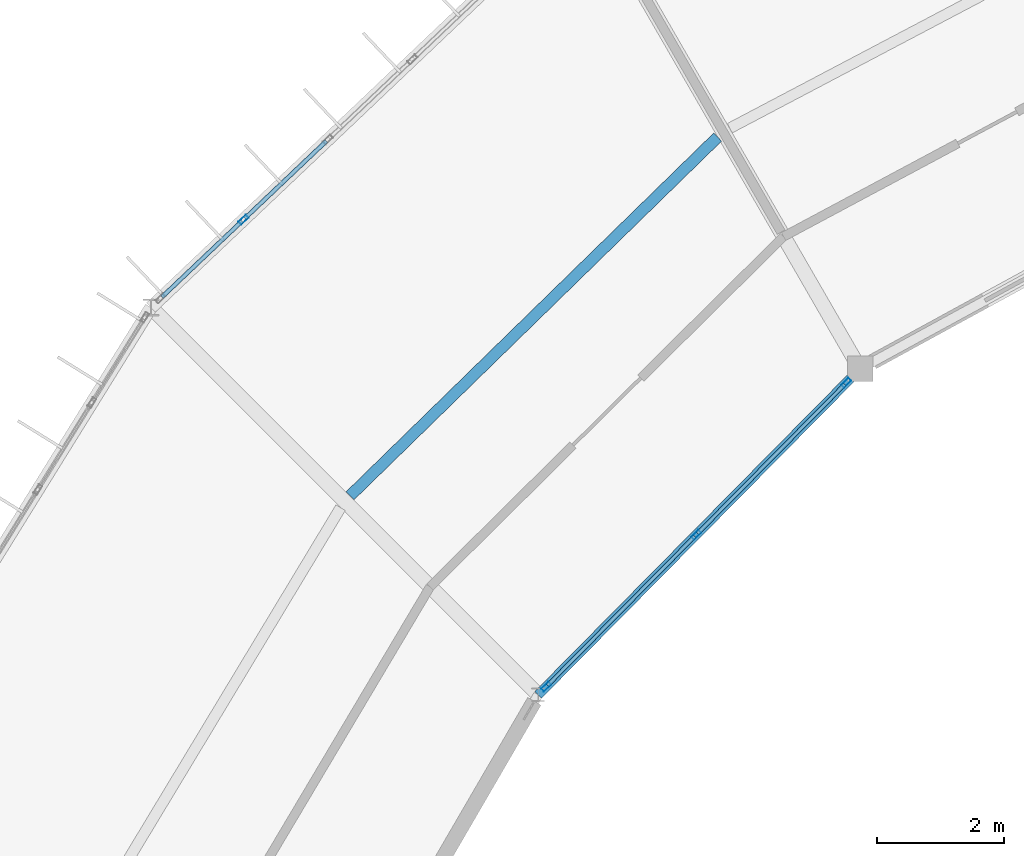
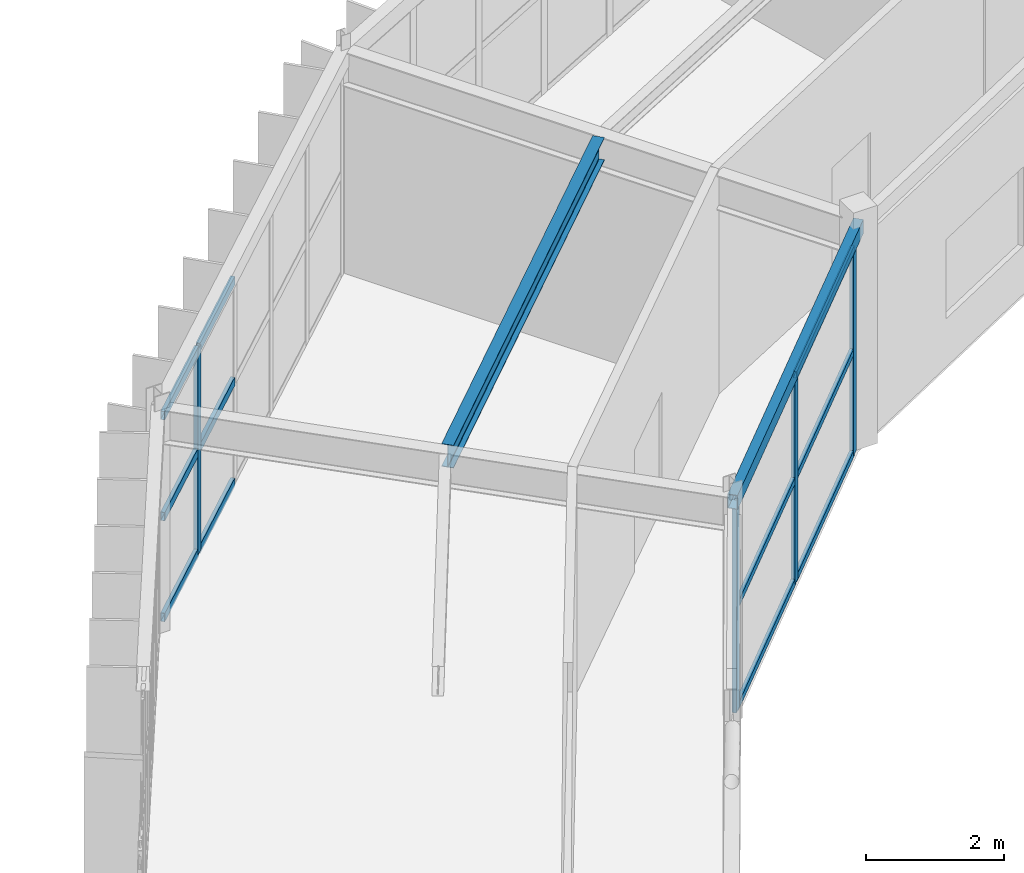
# One storey, part 87 of 157: 16 members, 2 beams, 2 elements without a shape of their own.
"""IFC4 building model written with IfcOpenShell, lengths in metres."""

from ifc_helpers import new_model, si_unit, direction, frame, origin, origin_2d, place, context, subcontext, project, spatial, hollow_rectangle, i_section, extrude, material, material_profile, profile_set, type_object, element, aggregate, save


model = new_model("IFC4")

# Units and contexts
model_context = context("Model", 3, precision=1e-05, world=origin(), true_north=direction((0.0, 1.0)))
body_context = subcontext(model_context, "Body", "Model", "MODEL_VIEW")
ifc_project = project(units=[si_unit("LENGTHUNIT", "METRE"), si_unit("AREAUNIT", "SQUARE_METRE"), si_unit("VOLUMEUNIT", "CUBIC_METRE"), si_unit("PLANEANGLEUNIT", "RADIAN"), si_unit("MASSUNIT", "GRAM", prefix="KILO")], contexts=[model_context])

# Site, building, storey
site_placement = place(None, origin())
site = spatial("IfcSite", under=ifc_project, at=site_placement, CompositionType="ELEMENT")
building_placement = place(site_placement, origin())
building = spatial("IfcBuilding", under=site, at=building_placement, Name="Karori Crest Natural Sciences Institute", CompositionType="ELEMENT")
storey_placement = place(building_placement, frame((0.0, 0.0, 13.300048828125)))
storey = spatial("IfcBuildingStorey", under=building, at=storey_placement, Name="L03", CompositionType="ELEMENT", Elevation=13.300048828125)

# Beams
ifc_material_1 = material(Name="Hollow structural steel AS/NZS 1163 Grade C350", Category="steel")
ifc_material_profile_1 = material_profile(ifc_material_1, hollow_rectangle(XDim=0.14990234375, YDim=0.25, WallThickness=0.009033203125, at=origin_2d()), Name="RHS250x150x9")
ifc_profile_set_1 = profile_set([ifc_material_profile_1], Name="Hollow structural steel AS/NZS 1163 Grade C350")
beam_type_1 = type_object("IfcBeamType", Name="BT-16", PredefinedType="SPANDREL", material=ifc_profile_set_1)
beam_1_placement = place(storey_placement, frame((54.199951171875, 77.785888671875, 3.7900390625), z_axis=(-0.70266285879, -0.711522948946, 0.0), x_axis=(0.711522948946, -0.70266285879, 0.0)))
element("IfcBeam", 1, at=beam_1_placement, inside=storey, type_object=beam_type_1, Name="Beam B-0392", PredefinedType="SPANDREL", context=body_context, shape_type="SweptSolid", body=[
    extrude(hollow_rectangle(XDim=0.14990234375, YDim=0.25, WallThickness=0.009033203125, at=origin_2d()), origin(), (0.0, 0.0, 1.0), 7.19189453125),
])
ifc_material_2 = material(Name="Structural steel AS/NZS 3679.1 Grade 350", Category="steel")
ifc_material_profile_2 = material_profile(ifc_material_2, i_section(OverallWidth=0.177978515625, OverallDepth=0.403076171875, WebThickness=0.007568359375, FlangeThickness=0.010986328125, FilletRadius=0.010986328125, at=origin_2d()), Name="410UB53.7")
ifc_profile_set_2 = profile_set([ifc_material_profile_2], Name="Structural steel AS/NZS 3679.1 Grade 350")
beam_type_2 = type_object("IfcBeamType", Name="BT-29", PredefinedType="BEAM", material=ifc_profile_set_2)
beam_2_placement = place(storey_placement, frame((51.964111328125, 81.426025390625, 3.738525390625), z_axis=(-0.715696324431, -0.698411605857, 0.0), x_axis=(0.698411605857, -0.715696324431, 0.0)))
element("IfcBeam", 2, at=beam_2_placement, inside=storey, type_object=beam_type_2, Name="Beam B-0394", PredefinedType="BEAM", context=body_context, shape_type="SweptSolid", body=[
    extrude(i_section(OverallWidth=0.177978515625, OverallDepth=0.403076171875, WebThickness=0.007568359375, FlangeThickness=0.010986328125, FilletRadius=0.010986328125, at=origin_2d()), origin(), (0.0, 0.0, 1.0), 8.065185546875),
])

# Curtain wall, member
ifc_material_3 = material(Name="Anodised architectural aluminium 6063-T6", Category="aluminium")
curtain_wall_type_1 = type_object("IfcCurtainWallType", Name="CWT-09", PredefinedType="NOTDEFINED", material=ifc_material_3)
curtain_wall_1_placement = place(storey_placement, origin())
curtain_wall_1 = element("IfcCurtainWall", 3, at=curtain_wall_1_placement, inside=storey, type_object=curtain_wall_type_1, Name="Curtain wall CW-0112", PredefinedType="NOTDEFINED")
ifc_material_profile_3 = material_profile(ifc_material_3, hollow_rectangle(XDim=0.06494140625, YDim=0.159912109375, WallThickness=0.00390625, at=origin_2d()), Name="CWM160x65x4")
ifc_profile_set_3 = profile_set([ifc_material_profile_3], Name="Anodised architectural aluminium 6063-T6")
member_type_1 = type_object("IfcMemberType", Name="CWM-01", PredefinedType="MULLION", material=ifc_profile_set_3)
member_1_placement = place(storey_placement, frame((44.5185546875, 80.12841796875, 0.0), z_axis=(0.0, 0.0, 1.0), x_axis=(-0.688250542104, 0.725473081026, 0.0)))
member_1 = element("IfcMember", 4, at=member_1_placement, type_object=member_type_1, Name="CW-0112 mullion 2", PredefinedType="MULLION", context=body_context, shape_type="SweptSolid", body=[
    extrude(hollow_rectangle(XDim=0.06494140625, YDim=0.159912109375, WallThickness=0.00390625, at=origin_2d()), origin(), (0.0, 0.0, 1.0), 3.625),
])

# Curtain wall, members
curtain_wall_type_2 = type_object("IfcCurtainWallType", Name="CWT-14", PredefinedType="NOTDEFINED", material=ifc_material_3)
curtain_wall_2_placement = place(storey_placement, origin())
curtain_wall_2 = element("IfcCurtainWall", 5, at=curtain_wall_2_placement, inside=storey, type_object=curtain_wall_type_2, Name="Curtain wall CW-0113", PredefinedType="NOTDEFINED")
member_2_placement = place(storey_placement, frame((53.98095703125, 77.564208984375, 0.0), z_axis=(0.0, 0.0, 1.0), x_axis=(0.711524963942, -0.702660818381, 0.0)))
member_2 = element("IfcMember", 6, at=member_2_placement, type_object=member_type_1, Name="CW-0113 mullion 1", PredefinedType="MULLION", context=body_context, shape_type="SweptSolid", body=[
    extrude(hollow_rectangle(XDim=0.06494140625, YDim=0.159912109375, WallThickness=0.00390625, at=origin_2d()), origin(), (0.0, 0.0, 1.0), 3.64990234375),
])
member_3_placement = place(storey_placement, frame((51.625732421875, 75.17919921875, 0.0), z_axis=(0.0, 0.0, 1.0), x_axis=(0.711524963942, -0.702660818381, 0.0)))
member_3 = element("IfcMember", 7, at=member_3_placement, type_object=member_type_1, Name="CW-0113 mullion 2", PredefinedType="MULLION", context=body_context, shape_type="SweptSolid", body=[
    extrude(hollow_rectangle(XDim=0.06494140625, YDim=0.159912109375, WallThickness=0.00390625, at=origin_2d()), origin(), (0.0, 0.0, 1.0), 3.64990234375),
])
member_4_placement = place(storey_placement, frame((49.2705078125, 72.79443359375, 0.0), z_axis=(0.0, 0.0, 1.0), x_axis=(0.711524963942, -0.702660818381, 0.0)))
member_4 = element("IfcMember", 8, at=member_4_placement, type_object=member_type_1, Name="CW-0113 mullion 3", PredefinedType="MULLION", context=body_context, shape_type="SweptSolid", body=[
    extrude(hollow_rectangle(XDim=0.06494140625, YDim=0.159912109375, WallThickness=0.00390625, at=origin_2d()), origin(), (0.0, 0.0, 1.0), 3.64990234375),
])
ifc_material_profile_4 = material_profile(ifc_material_3, hollow_rectangle(XDim=0.06005859375, YDim=0.1201171875, WallThickness=0.00390625, at=origin_2d()), Name="CWT120x60x4")
ifc_profile_set_4 = profile_set([ifc_material_profile_4], Name="Anodised architectural aluminium 6063-T6")
member_type_2 = type_object("IfcMemberType", Name="CWT-TR1", PredefinedType="USERDEFINED", material=ifc_profile_set_4)
member_5_placement = place(storey_placement, frame((53.958251953125, 77.541259765625, 0.030029296875), z_axis=(-0.702636271003, -0.711549204673, 0.0), x_axis=(0.711549204673, -0.702636271003, 0.0)))
member_5 = element("IfcMember", 9, at=member_5_placement, type_object=member_type_2, Name="CW-0113 transom 1.1", ObjectType="TRANSOM", PredefinedType="USERDEFINED", context=body_context, shape_type="SweptSolid", body=[
    extrude(hollow_rectangle(XDim=0.06005859375, YDim=0.1201171875, WallThickness=0.00390625, at=origin_2d()), origin(), (0.0, 0.0, 1.0), 3.287109375),
])
member_6_placement = place(storey_placement, frame((53.958251953125, 77.541259765625, 1.824951171875), z_axis=(-0.702636271003, -0.711549204673, 0.0), x_axis=(0.711549204673, -0.702636271003, 0.0)))
member_6 = element("IfcMember", 10, at=member_6_placement, type_object=member_type_2, Name="CW-0113 transom 1.2", ObjectType="TRANSOM", PredefinedType="USERDEFINED", context=body_context, shape_type="SweptSolid", body=[
    extrude(hollow_rectangle(XDim=0.06005859375, YDim=0.1201171875, WallThickness=0.00390625, at=origin_2d()), origin(), (0.0, 0.0, 1.0), 3.287109375),
])
member_7_placement = place(storey_placement, frame((53.958251953125, 77.541259765625, 3.619873046875), z_axis=(-0.702636271003, -0.711549204673, 0.0), x_axis=(0.711549204673, -0.702636271003, 0.0)))
member_7 = element("IfcMember", 11, at=member_7_placement, type_object=member_type_2, Name="CW-0113 transom 1.3", ObjectType="TRANSOM", PredefinedType="USERDEFINED", context=body_context, shape_type="SweptSolid", body=[
    extrude(hollow_rectangle(XDim=0.06005859375, YDim=0.1201171875, WallThickness=0.00390625, at=origin_2d()), origin(), (0.0, 0.0, 1.0), 3.287109375),
])
member_8_placement = place(storey_placement, frame((51.60302734375, 75.15625, 0.030029296875), z_axis=(-0.702636271003, -0.711549204673, 0.0), x_axis=(0.711549204673, -0.702636271003, 0.0)))
member_8 = element("IfcMember", 12, at=member_8_placement, type_object=member_type_2, Name="CW-0113 transom 2.1", ObjectType="TRANSOM", PredefinedType="USERDEFINED", context=body_context, shape_type="SweptSolid", body=[
    extrude(hollow_rectangle(XDim=0.06005859375, YDim=0.1201171875, WallThickness=0.00390625, at=origin_2d()), origin(), (0.0, 0.0, 1.0), 3.287109375),
])
member_9_placement = place(storey_placement, frame((51.60302734375, 75.15625, 1.824951171875), z_axis=(-0.702636271003, -0.711549204673, 0.0), x_axis=(0.711549204673, -0.702636271003, 0.0)))
member_9 = element("IfcMember", 13, at=member_9_placement, type_object=member_type_2, Name="CW-0113 transom 2.2", ObjectType="TRANSOM", PredefinedType="USERDEFINED", context=body_context, shape_type="SweptSolid", body=[
    extrude(hollow_rectangle(XDim=0.06005859375, YDim=0.1201171875, WallThickness=0.00390625, at=origin_2d()), origin(), (0.0, 0.0, 1.0), 3.287109375),
])
member_10_placement = place(storey_placement, frame((51.60302734375, 75.15625, 3.619873046875), z_axis=(-0.702636271003, -0.711549204673, 0.0), x_axis=(0.711549204673, -0.702636271003, 0.0)))
member_10 = element("IfcMember", 14, at=member_10_placement, type_object=member_type_2, Name="CW-0113 transom 2.3", ObjectType="TRANSOM", PredefinedType="USERDEFINED", context=body_context, shape_type="SweptSolid", body=[
    extrude(hollow_rectangle(XDim=0.06005859375, YDim=0.1201171875, WallThickness=0.00390625, at=origin_2d()), origin(), (0.0, 0.0, 1.0), 3.287109375),
])
aggregate(curtain_wall_2, [member_2, member_3, member_4, member_5, member_6, member_7, member_8, member_9, member_10])

# Member
ifc_material_profile_5 = material_profile(ifc_material_3, hollow_rectangle(XDim=0.06494140625, YDim=0.14990234375, WallThickness=0.00390625, at=origin_2d()), Name="CWT150x65x4")
ifc_profile_set_5 = profile_set([ifc_material_profile_5], Name="Anodised architectural aluminium 6063-T6")
member_type_3 = type_object("IfcMemberType", Name="CWT-TR2", PredefinedType="USERDEFINED", material=ifc_profile_set_5)
member_11_placement = place(storey_placement, frame((43.2392578125, 78.914794921875, 0.032470703125), z_axis=(0.725481758098, 0.688241395636, 0.0), x_axis=(-0.688241395636, 0.725481758098, 0.0)))
member_11 = element("IfcMember", 15, at=member_11_placement, type_object=member_type_3, Name="CW-0112 transom 1.1", ObjectType="TRANSOM", PredefinedType="USERDEFINED", context=body_context, shape_type="SweptSolid", body=[
    extrude(hollow_rectangle(XDim=0.06494140625, YDim=0.14990234375, WallThickness=0.00390625, at=origin_2d()), origin(), (0.0, 0.0, 1.0), 1.730712890625),
])

member_12_placement = place(storey_placement, frame((43.2392578125, 78.914794921875, 1.8125), z_axis=(0.725481758098, 0.688241395636, 0.0), x_axis=(-0.688241395636, 0.725481758098, 0.0)))
member_12 = element("IfcMember", 16, at=member_12_placement, type_object=member_type_3, Name="CW-0112 transom 1.2", ObjectType="TRANSOM", PredefinedType="USERDEFINED", context=body_context, shape_type="SweptSolid", body=[
    extrude(hollow_rectangle(XDim=0.06494140625, YDim=0.14990234375, WallThickness=0.00390625, at=origin_2d()), origin(), (0.0, 0.0, 1.0), 1.730712890625),
])

member_13_placement = place(storey_placement, frame((43.2392578125, 78.914794921875, 3.592529296875), z_axis=(0.725481758098, 0.688241395636, 0.0), x_axis=(-0.688241395636, 0.725481758098, 0.0)))
member_13 = element("IfcMember", 17, at=member_13_placement, type_object=member_type_3, Name="CW-0112 transom 1.3", ObjectType="TRANSOM", PredefinedType="USERDEFINED", context=body_context, shape_type="SweptSolid", body=[
    extrude(hollow_rectangle(XDim=0.06494140625, YDim=0.14990234375, WallThickness=0.00390625, at=origin_2d()), origin(), (0.0, 0.0, 1.0), 1.730712890625),
])

member_14_placement = place(storey_placement, frame((44.5419921875, 80.15087890625, 0.032470703125), z_axis=(0.725548767107, 0.688170753919, 0.0), x_axis=(-0.688170753919, 0.725548767107, 0.0)))
member_14 = element("IfcMember", 18, at=member_14_placement, type_object=member_type_3, Name="CW-0112 transom 2.1", ObjectType="TRANSOM", PredefinedType="USERDEFINED", context=body_context, shape_type="SweptSolid", body=[
    extrude(hollow_rectangle(XDim=0.06494140625, YDim=0.14990234375, WallThickness=0.00390625, at=origin_2d()), origin(), (0.0, 0.0, 1.0), 1.763427734375),
])

member_15_placement = place(storey_placement, frame((44.5419921875, 80.15087890625, 1.8125), z_axis=(0.725548767107, 0.688170753919, 0.0), x_axis=(-0.688170753919, 0.725548767107, 0.0)))
member_15 = element("IfcMember", 19, at=member_15_placement, type_object=member_type_3, Name="CW-0112 transom 2.2", ObjectType="TRANSOM", PredefinedType="USERDEFINED", context=body_context, shape_type="SweptSolid", body=[
    extrude(hollow_rectangle(XDim=0.06494140625, YDim=0.14990234375, WallThickness=0.00390625, at=origin_2d()), origin(), (0.0, 0.0, 1.0), 1.763427734375),
])

member_16_placement = place(storey_placement, frame((44.5419921875, 80.15087890625, 3.592529296875), z_axis=(0.725548767107, 0.688170753919, 0.0), x_axis=(-0.688170753919, 0.725548767107, 0.0)))
member_16 = element("IfcMember", 20, at=member_16_placement, type_object=member_type_3, Name="CW-0112 transom 2.3", ObjectType="TRANSOM", PredefinedType="USERDEFINED", context=body_context, shape_type="SweptSolid", body=[
    extrude(hollow_rectangle(XDim=0.06494140625, YDim=0.14990234375, WallThickness=0.00390625, at=origin_2d()), origin(), (0.0, 0.0, 1.0), 1.763427734375),
])

aggregate(curtain_wall_1, [member_1, member_11, member_12, member_13, member_14, member_15, member_16])

save(model, "model.ifc")
